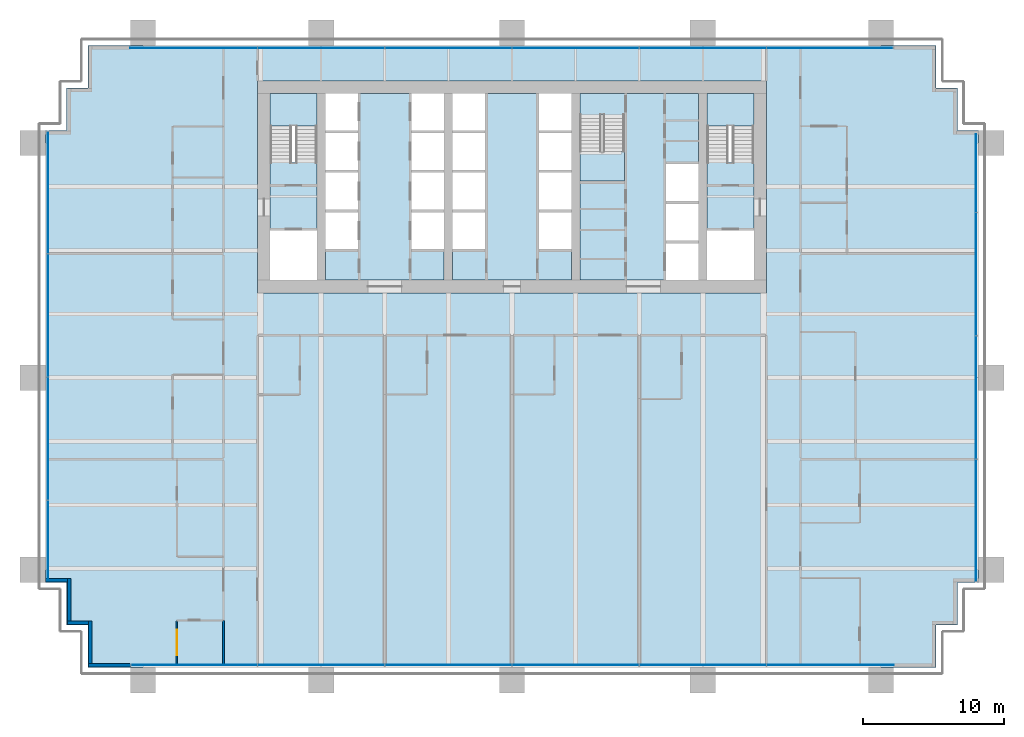
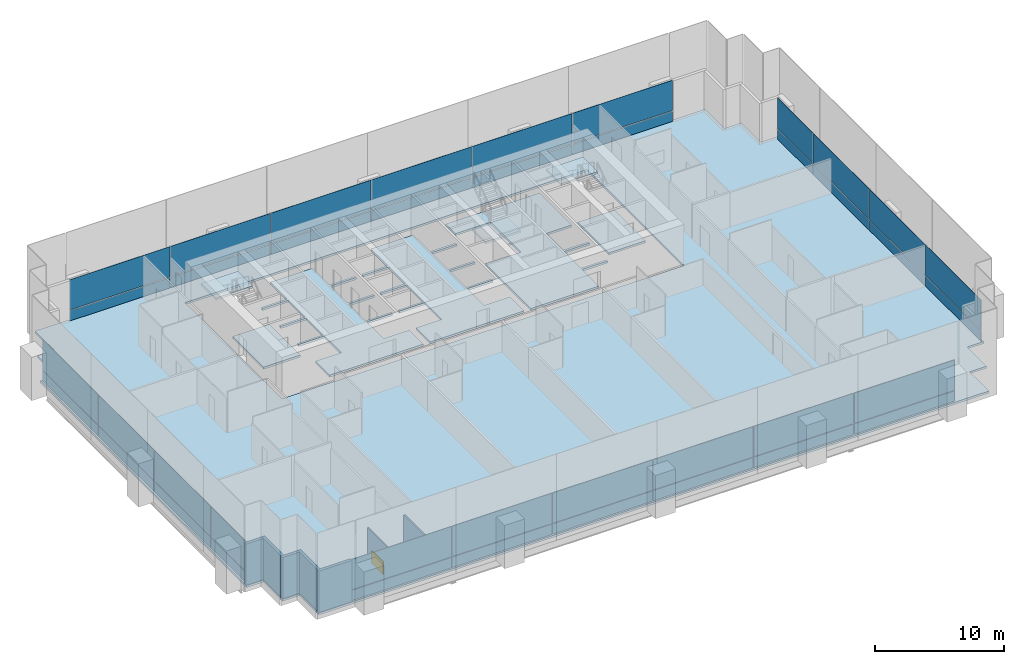
# One storey, part 10 of 18: 40 plates, 9 slabs, 7 walls, 1 window, 1 opening, 7 elements without a shape of their own.
"""IFC4 building model written with IfcOpenShell, lengths in metres."""

from ifc_helpers import new_model, si_unit, direction, frame, frame_2d, origin, origin_2d, place, context, subcontext, project, spatial, polyline, rectangle, outline, extrude, material, layer, layer_set, type_object, element, fill, aggregate, save


model = new_model("IFC4")

# Units and contexts
model_context = context("Model", 3, precision=1e-05, world=origin(), true_north=direction((0.0, 1.0)))
body_context = subcontext(model_context, "Body", "Model", "MODEL_VIEW")
ifc_project = project(units=[si_unit("LENGTHUNIT", "METRE"), si_unit("AREAUNIT", "SQUARE_METRE"), si_unit("VOLUMEUNIT", "CUBIC_METRE"), si_unit("PLANEANGLEUNIT", "RADIAN"), si_unit("MASSUNIT", "GRAM", prefix="KILO")], contexts=[model_context])

# Site, building, storey
site_placement = place(None, origin())
site = spatial("IfcSite", under=ifc_project, at=site_placement, CompositionType="ELEMENT")
building_placement = place(site_placement, origin())
building = spatial("IfcBuilding", under=site, at=building_placement, Name="Rattan Terrace Tower", CompositionType="ELEMENT")
storey_placement = place(building_placement, frame((0.0, 0.0, 57.0)))
storey = spatial("IfcBuildingStorey", under=building, at=storey_placement, Name="L12", CompositionType="ELEMENT", Elevation=57.0)

# Stair, slab
ifc_material_1 = material(Name="Concrete C40/50", Category="concrete")
stair_type = type_object("IfcStairType", Name="Core exit stair 1500", PredefinedType="HALF_TURN_STAIR", material=ifc_material_1)
stair_1_placement = place(storey_placement, origin())
stair_1 = element("IfcStair", 1, at=stair_1_placement, inside=storey, type_object=stair_type, Name="L12 exit stair 1", PredefinedType="HALF_TURN_STAIR")
ifc_material_2 = material(Name="Concrete C40/50", Category="concrete")
ifc_layer_1 = layer(ifc_material_2, 0.199951171875)
ifc_layer_set_1 = layer_set([ifc_layer_1], Name="Core exit stair landing")
slab_type_1 = type_object("IfcSlabType", Name="Core exit stair landing", PredefinedType="LANDING", material=ifc_layer_set_1)
slab_1_placement = place(storey_placement, frame((0.0, 0.0, 1.85009765625)))
slab_1 = element("IfcSlab", 2, at=slab_1_placement, type_object=slab_type_1, Name="S1 landing 1", PredefinedType="LANDING", context=body_context, shape_type="SweptSolid", body=[
    extrude(outline(polyline([(-13.800048828125, 4.300048828125), (-13.800048828125, 6.60009765625), (-17.10009765625, 6.60009765625), (-17.10009765625, 4.300048828125), (-13.800048828125, 4.300048828125)])), origin(), (0.0, 0.0, 1.0), 0.199951171875),
])
aggregate(stair_1, [slab_1])

stair_2_placement = place(storey_placement, origin())
stair_2 = element("IfcStair", 3, at=stair_2_placement, inside=storey, type_object=stair_type, Name="L12 exit stair 2", PredefinedType="HALF_TURN_STAIR")
slab_2_placement = place(storey_placement, frame((0.0, 0.0, 1.85009765625)))
slab_2 = element("IfcSlab", 4, at=slab_2_placement, type_object=slab_type_1, Name="S2 landing 1", PredefinedType="LANDING", context=body_context, shape_type="SweptSolid", body=[
    extrude(outline(polyline([(17.10009765625, 4.300048828125), (17.10009765625, 6.60009765625), (13.800048828125, 6.60009765625), (13.800048828125, 4.300048828125), (17.10009765625, 4.300048828125)])), origin(), (0.0, 0.0, 1.0), 0.199951171875),
])
aggregate(stair_2, [slab_2])

stair_3_placement = place(storey_placement, origin())
stair_3 = element("IfcStair", 5, at=stair_3_placement, inside=storey, type_object=stair_type, Name="L12 exit stair 3", PredefinedType="HALF_TURN_STAIR")
slab_3_placement = place(storey_placement, frame((0.0, 0.0, 1.85009765625)))
slab_3 = element("IfcSlab", 6, at=slab_3_placement, type_object=slab_type_1, Name="S3 landing 1", PredefinedType="LANDING", context=body_context, shape_type="SweptSolid", body=[
    extrude(outline(polyline([(4.800048828125, 2.5), (4.800048828125, 0.39990234375), (7.949951171875, 0.39990234375), (7.949951171875, 2.5), (4.800048828125, 2.5)])), origin(), (0.0, 0.0, 1.0), 0.199951171875),
])
aggregate(stair_3, [slab_3])

# Curtain wall, plates
ifc_material_3 = material(Name="Aluminium and glass", Category="aluminium")
curtain_wall_type = type_object("IfcCurtainWallType", Name="Facade Unitised Curtain Wall", PredefinedType="NOTDEFINED", material=ifc_material_3)
curtain_wall_1_placement = place(storey_placement, origin())
curtain_wall_1 = element("IfcCurtainWall", 7, at=curtain_wall_1_placement, inside=storey, type_object=curtain_wall_type, Name="Curtain wall L12-1", PredefinedType="NOTDEFINED")
ifc_material_4 = material(Name="Aluminium insulated spandrel panel", Category="aluminium")
ifc_layer_2 = layer(ifc_material_4, 0.028076171875)
ifc_layer_set_2 = layer_set([ifc_layer_2], Name="Facade CW Spandrel Panel")
plate_type_1 = type_object("IfcPlateType", Name="Facade CW Spandrel Panel", PredefinedType="CURTAIN_PANEL", material=ifc_layer_set_2)
plate_1_placement = place(storey_placement, frame((32.830078125, -23.59912109375, 0.0), z_axis=(0.0, 0.0, 1.0), x_axis=(0.0, 1.0, 0.0)))
plate_1 = element("IfcPlate", 8, at=plate_1_placement, type_object=plate_type_1, Name="Panel cwl-L12-001.1.1", PredefinedType="CURTAIN_PANEL", context=body_context, shape_type="SweptSolid", body=[
    extrude(rectangle(XDim=8.592041015625, YDim=0.028076171875, at=origin_2d()), origin(), (0.0, 0.0, 1.0), 0.969970703125),
])
plate_2_placement = place(storey_placement, frame((32.830078125, -14.909423828125, 0.0), z_axis=(0.0, 0.0, 1.0), x_axis=(0.0, 1.0, 0.0)))
plate_2 = element("IfcPlate", 9, at=plate_2_placement, type_object=plate_type_1, Name="Panel cwl-L12-001.2.1", PredefinedType="CURTAIN_PANEL", context=body_context, shape_type="SweptSolid", body=[
    extrude(rectangle(XDim=8.6669921875, YDim=0.028076171875, at=origin_2d()), origin(), (0.0, 0.0, 1.0), 0.969970703125),
])
plate_3_placement = place(storey_placement, frame((32.830078125, -6.1826171875, 0.0), z_axis=(0.0, 0.0, 1.0), x_axis=(0.0, 1.0, 0.0)))
plate_3 = element("IfcPlate", 10, at=plate_3_placement, type_object=plate_type_1, Name="Panel cwl-L12-001.3.1", PredefinedType="CURTAIN_PANEL", context=body_context, shape_type="SweptSolid", body=[
    extrude(rectangle(XDim=8.6669921875, YDim=0.028076171875, at=origin_2d()), origin(), (0.0, 0.0, 1.0), 0.969970703125),
])
plate_4_placement = place(storey_placement, frame((32.830078125, 0.9580078125, 0.0), z_axis=(0.0, 0.0, 1.0), x_axis=(0.0, 1.0, 0.0)))
plate_4 = element("IfcPlate", 11, at=plate_4_placement, type_object=plate_type_1, Name="Panel cwl-L12-001.4.1", PredefinedType="CURTAIN_PANEL", context=body_context, shape_type="SweptSolid", body=[
    extrude(rectangle(XDim=5.493896484375, YDim=0.028076171875, at=origin_2d()), origin(), (0.0, 0.0, 1.0), 0.969970703125),
])

curtain_wall_2_placement = place(storey_placement, origin())
curtain_wall_2 = element("IfcCurtainWall", 12, at=curtain_wall_2_placement, inside=storey, type_object=curtain_wall_type, Name="Curtain wall L12-2", PredefinedType="NOTDEFINED")
plate_5_placement = place(storey_placement, frame((22.485107421875, 9.830078125, 0.0), z_axis=(0.0, 0.0, 1.0), x_axis=(-1.0, 0.0, 0.0)))
plate_5 = element("IfcPlate", 13, at=plate_5_placement, type_object=plate_type_1, Name="Panel cwl-L12-002.1.1", PredefinedType="CURTAIN_PANEL", context=body_context, shape_type="SweptSolid", body=[
    extrude(rectangle(XDim=8.909912109375, YDim=0.028076171875, at=origin_2d()), origin(), (0.0, 0.0, 1.0), 0.969970703125),
])
plate_6_placement = place(storey_placement, frame((13.5, 9.830078125, 0.0), z_axis=(0.0, 0.0, 1.0), x_axis=(-1.0, 0.0, 0.0)))
plate_6 = element("IfcPlate", 14, at=plate_6_placement, type_object=plate_type_1, Name="Panel cwl-L12-002.2.1", PredefinedType="CURTAIN_PANEL", context=body_context, shape_type="SweptSolid", body=[
    extrude(rectangle(XDim=8.93994140625, YDim=0.028076171875, at=origin_2d()), origin(), (0.0, 0.0, 1.0), 0.969970703125),
])
plate_7_placement = place(storey_placement, frame((4.5, 9.830078125, 0.0), z_axis=(0.0, 0.0, 1.0), x_axis=(-1.0, 0.0, 0.0)))
plate_7 = element("IfcPlate", 15, at=plate_7_placement, type_object=plate_type_1, Name="Panel cwl-L12-002.3.1", PredefinedType="CURTAIN_PANEL", context=body_context, shape_type="SweptSolid", body=[
    extrude(rectangle(XDim=8.93994140625, YDim=0.028076171875, at=origin_2d()), origin(), (0.0, 0.0, 1.0), 0.969970703125),
])
plate_8_placement = place(storey_placement, frame((-4.5, 9.830078125, 0.0), z_axis=(0.0, 0.0, 1.0), x_axis=(-1.0, 0.0, 0.0)))
plate_8 = element("IfcPlate", 16, at=plate_8_placement, type_object=plate_type_1, Name="Panel cwl-L12-002.4.1", PredefinedType="CURTAIN_PANEL", context=body_context, shape_type="SweptSolid", body=[
    extrude(rectangle(XDim=8.93994140625, YDim=0.028076171875, at=origin_2d()), origin(), (0.0, 0.0, 1.0), 0.969970703125),
])
plate_9_placement = place(storey_placement, frame((-13.5, 9.830078125, 0.0), z_axis=(0.0, 0.0, 1.0), x_axis=(-1.0, 0.0, 0.0)))
plate_9 = element("IfcPlate", 17, at=plate_9_placement, type_object=plate_type_1, Name="Panel cwl-L12-002.5.1", PredefinedType="CURTAIN_PANEL", context=body_context, shape_type="SweptSolid", body=[
    extrude(rectangle(XDim=8.93994140625, YDim=0.028076171875, at=origin_2d()), origin(), (0.0, 0.0, 1.0), 0.969970703125),
])
plate_10_placement = place(storey_placement, frame((-22.514892578125, 9.830078125, 0.0), z_axis=(0.0, 0.0, 1.0), x_axis=(-1.0, 0.0, 0.0)))
plate_10 = element("IfcPlate", 18, at=plate_10_placement, type_object=plate_type_1, Name="Panel cwl-L12-002.6.1", PredefinedType="CURTAIN_PANEL", context=body_context, shape_type="SweptSolid", body=[
    extrude(rectangle(XDim=8.969970703125, YDim=0.028076171875, at=origin_2d()), origin(), (0.0, 0.0, 1.0), 0.969970703125),
])

curtain_wall_3_placement = place(storey_placement, origin())
curtain_wall_3 = element("IfcCurtainWall", 19, at=curtain_wall_3_placement, inside=storey, type_object=curtain_wall_type, Name="Curtain wall L12-3", PredefinedType="NOTDEFINED")
plate_11_placement = place(storey_placement, frame((-32.830078125, -0.40087890625, 0.0), z_axis=(0.0, 0.0, 1.0), x_axis=(0.0, -1.0, 0.0)))
plate_11 = element("IfcPlate", 20, at=plate_11_placement, type_object=plate_type_1, Name="Panel cwl-L12-003.1.1", PredefinedType="CURTAIN_PANEL", context=body_context, shape_type="SweptSolid", body=[
    extrude(rectangle(XDim=8.592041015625, YDim=0.028076171875, at=origin_2d()), origin(), (0.0, 0.0, 1.0), 0.969970703125),
])
plate_12_placement = place(storey_placement, frame((-32.830078125, -9.090576171875, 0.0), z_axis=(0.0, 0.0, 1.0), x_axis=(0.0, -1.0, 0.0)))
plate_12 = element("IfcPlate", 21, at=plate_12_placement, type_object=plate_type_1, Name="Panel cwl-L12-003.2.1", PredefinedType="CURTAIN_PANEL", context=body_context, shape_type="SweptSolid", body=[
    extrude(rectangle(XDim=8.6669921875, YDim=0.028076171875, at=origin_2d()), origin(), (0.0, 0.0, 1.0), 0.969970703125),
])
plate_13_placement = place(storey_placement, frame((-32.830078125, -17.8173828125, 0.0), z_axis=(0.0, 0.0, 1.0), x_axis=(0.0, -1.0, 0.0)))
plate_13 = element("IfcPlate", 22, at=plate_13_placement, type_object=plate_type_1, Name="Panel cwl-L12-003.3.1", PredefinedType="CURTAIN_PANEL", context=body_context, shape_type="SweptSolid", body=[
    extrude(rectangle(XDim=8.6669921875, YDim=0.028076171875, at=origin_2d()), origin(), (0.0, 0.0, 1.0), 0.969970703125),
])
plate_14_placement = place(storey_placement, frame((-32.830078125, -24.9580078125, 0.0), z_axis=(0.0, 0.0, 1.0), x_axis=(0.0, -1.0, 0.0)))
plate_14 = element("IfcPlate", 23, at=plate_14_placement, type_object=plate_type_1, Name="Panel cwl-L12-003.4.1", PredefinedType="CURTAIN_PANEL", context=body_context, shape_type="SweptSolid", body=[
    extrude(rectangle(XDim=5.493896484375, YDim=0.028076171875, at=origin_2d()), origin(), (0.0, 0.0, 1.0), 0.969970703125),
])

curtain_wall_4_placement = place(storey_placement, origin())
curtain_wall_4 = element("IfcCurtainWall", 24, at=curtain_wall_4_placement, inside=storey, type_object=curtain_wall_type, Name="Curtain wall L12-4", PredefinedType="NOTDEFINED")
plate_15_placement = place(storey_placement, frame((-22.485107421875, -33.830078125, 0.0), z_axis=(0.0, 0.0, 1.0), x_axis=(1.0, 0.0, 0.0)))
plate_15 = element("IfcPlate", 25, at=plate_15_placement, type_object=plate_type_1, Name="Panel cwl-L12-004.1.1", PredefinedType="CURTAIN_PANEL", context=body_context, shape_type="SweptSolid", body=[
    extrude(rectangle(XDim=8.909912109375, YDim=0.028076171875, at=origin_2d()), origin(), (0.0, 0.0, 1.0), 0.969970703125),
])
plate_16_placement = place(storey_placement, frame((-13.5, -33.830078125, 0.0), z_axis=(0.0, 0.0, 1.0), x_axis=(1.0, 0.0, 0.0)))
plate_16 = element("IfcPlate", 26, at=plate_16_placement, type_object=plate_type_1, Name="Panel cwl-L12-004.2.1", PredefinedType="CURTAIN_PANEL", context=body_context, shape_type="SweptSolid", body=[
    extrude(rectangle(XDim=8.93994140625, YDim=0.028076171875, at=origin_2d()), origin(), (0.0, 0.0, 1.0), 0.969970703125),
])
plate_17_placement = place(storey_placement, frame((-4.5, -33.830078125, 0.0), z_axis=(0.0, 0.0, 1.0), x_axis=(1.0, 0.0, 0.0)))
plate_17 = element("IfcPlate", 27, at=plate_17_placement, type_object=plate_type_1, Name="Panel cwl-L12-004.3.1", PredefinedType="CURTAIN_PANEL", context=body_context, shape_type="SweptSolid", body=[
    extrude(rectangle(XDim=8.93994140625, YDim=0.028076171875, at=origin_2d()), origin(), (0.0, 0.0, 1.0), 0.969970703125),
])
plate_18_placement = place(storey_placement, frame((4.5, -33.830078125, 0.0), z_axis=(0.0, 0.0, 1.0), x_axis=(1.0, 0.0, 0.0)))
plate_18 = element("IfcPlate", 28, at=plate_18_placement, type_object=plate_type_1, Name="Panel cwl-L12-004.4.1", PredefinedType="CURTAIN_PANEL", context=body_context, shape_type="SweptSolid", body=[
    extrude(rectangle(XDim=8.93994140625, YDim=0.028076171875, at=origin_2d()), origin(), (0.0, 0.0, 1.0), 0.969970703125),
])
plate_19_placement = place(storey_placement, frame((13.5, -33.830078125, 0.0), z_axis=(0.0, 0.0, 1.0), x_axis=(1.0, 0.0, 0.0)))
plate_19 = element("IfcPlate", 29, at=plate_19_placement, type_object=plate_type_1, Name="Panel cwl-L12-004.5.1", PredefinedType="CURTAIN_PANEL", context=body_context, shape_type="SweptSolid", body=[
    extrude(rectangle(XDim=8.93994140625, YDim=0.028076171875, at=origin_2d()), origin(), (0.0, 0.0, 1.0), 0.969970703125),
])
plate_20_placement = place(storey_placement, frame((22.514892578125, -33.830078125, 0.0), z_axis=(0.0, 0.0, 1.0), x_axis=(1.0, 0.0, 0.0)))
plate_20 = element("IfcPlate", 30, at=plate_20_placement, type_object=plate_type_1, Name="Panel cwl-L12-004.6.1", PredefinedType="CURTAIN_PANEL", context=body_context, shape_type="SweptSolid", body=[
    extrude(rectangle(XDim=8.969970703125, YDim=0.028076171875, at=origin_2d()), origin(), (0.0, 0.0, 1.0), 0.969970703125),
])

# Plate
ifc_material_5 = material(Name="Clear low-iron glass", Category="glass")
ifc_layer_3 = layer(ifc_material_5, 0.028076171875)
ifc_layer_set_3 = layer_set([ifc_layer_3], Name="Facade CW Vision Panel")
plate_type_2 = type_object("IfcPlateType", Name="Facade CW Vision Panel", PredefinedType="CURTAIN_PANEL", material=ifc_layer_set_3)
plate_21_placement = place(storey_placement, frame((32.830078125, -23.59912109375, 1.030029296875), z_axis=(0.0, 0.0, 1.0), x_axis=(0.0, 1.0, 0.0)))
plate_21 = element("IfcPlate", 31, at=plate_21_placement, type_object=plate_type_2, Name="Panel cwl-L12-001.1.2", PredefinedType="CURTAIN_PANEL", context=body_context, shape_type="SweptSolid", body=[
    extrude(rectangle(XDim=8.592041015625, YDim=0.028076171875, at=origin_2d()), origin(), (0.0, 0.0, 1.0), 2.8701171875),
])

plate_22_placement = place(storey_placement, frame((32.830078125, -14.909423828125, 1.030029296875), z_axis=(0.0, 0.0, 1.0), x_axis=(0.0, 1.0, 0.0)))
plate_22 = element("IfcPlate", 32, at=plate_22_placement, type_object=plate_type_2, Name="Panel cwl-L12-001.2.2", PredefinedType="CURTAIN_PANEL", context=body_context, shape_type="SweptSolid", body=[
    extrude(rectangle(XDim=8.6669921875, YDim=0.028076171875, at=origin_2d()), origin(), (0.0, 0.0, 1.0), 2.8701171875),
])

plate_23_placement = place(storey_placement, frame((32.830078125, -6.1826171875, 1.030029296875), z_axis=(0.0, 0.0, 1.0), x_axis=(0.0, 1.0, 0.0)))
plate_23 = element("IfcPlate", 33, at=plate_23_placement, type_object=plate_type_2, Name="Panel cwl-L12-001.3.2", PredefinedType="CURTAIN_PANEL", context=body_context, shape_type="SweptSolid", body=[
    extrude(rectangle(XDim=8.6669921875, YDim=0.028076171875, at=origin_2d()), origin(), (0.0, 0.0, 1.0), 2.8701171875),
])

plate_24_placement = place(storey_placement, frame((32.830078125, 0.9580078125, 1.030029296875), z_axis=(0.0, 0.0, 1.0), x_axis=(0.0, 1.0, 0.0)))
plate_24 = element("IfcPlate", 34, at=plate_24_placement, type_object=plate_type_2, Name="Panel cwl-L12-001.4.2", PredefinedType="CURTAIN_PANEL", context=body_context, shape_type="SweptSolid", body=[
    extrude(rectangle(XDim=5.493896484375, YDim=0.028076171875, at=origin_2d()), origin(), (0.0, 0.0, 1.0), 2.8701171875),
])

aggregate(curtain_wall_1, [plate_1, plate_21, plate_2, plate_22, plate_3, plate_23, plate_4, plate_24])

plate_25_placement = place(storey_placement, frame((22.485107421875, 9.830078125, 1.030029296875), z_axis=(0.0, 0.0, 1.0), x_axis=(-1.0, 0.0, 0.0)))
plate_25 = element("IfcPlate", 35, at=plate_25_placement, type_object=plate_type_2, Name="Panel cwl-L12-002.1.2", PredefinedType="CURTAIN_PANEL", context=body_context, shape_type="SweptSolid", body=[
    extrude(rectangle(XDim=8.909912109375, YDim=0.028076171875, at=origin_2d()), origin(), (0.0, 0.0, 1.0), 2.8701171875),
])

plate_26_placement = place(storey_placement, frame((13.5, 9.830078125, 1.030029296875), z_axis=(0.0, 0.0, 1.0), x_axis=(-1.0, 0.0, 0.0)))
plate_26 = element("IfcPlate", 36, at=plate_26_placement, type_object=plate_type_2, Name="Panel cwl-L12-002.2.2", PredefinedType="CURTAIN_PANEL", context=body_context, shape_type="SweptSolid", body=[
    extrude(rectangle(XDim=8.93994140625, YDim=0.028076171875, at=origin_2d()), origin(), (0.0, 0.0, 1.0), 2.8701171875),
])

plate_27_placement = place(storey_placement, frame((4.5, 9.830078125, 1.030029296875), z_axis=(0.0, 0.0, 1.0), x_axis=(-1.0, 0.0, 0.0)))
plate_27 = element("IfcPlate", 37, at=plate_27_placement, type_object=plate_type_2, Name="Panel cwl-L12-002.3.2", PredefinedType="CURTAIN_PANEL", context=body_context, shape_type="SweptSolid", body=[
    extrude(rectangle(XDim=8.93994140625, YDim=0.028076171875, at=origin_2d()), origin(), (0.0, 0.0, 1.0), 2.8701171875),
])

plate_28_placement = place(storey_placement, frame((-4.5, 9.830078125, 1.030029296875), z_axis=(0.0, 0.0, 1.0), x_axis=(-1.0, 0.0, 0.0)))
plate_28 = element("IfcPlate", 38, at=plate_28_placement, type_object=plate_type_2, Name="Panel cwl-L12-002.4.2", PredefinedType="CURTAIN_PANEL", context=body_context, shape_type="SweptSolid", body=[
    extrude(rectangle(XDim=8.93994140625, YDim=0.028076171875, at=origin_2d()), origin(), (0.0, 0.0, 1.0), 2.8701171875),
])

plate_29_placement = place(storey_placement, frame((-13.5, 9.830078125, 1.030029296875), z_axis=(0.0, 0.0, 1.0), x_axis=(-1.0, 0.0, 0.0)))
plate_29 = element("IfcPlate", 39, at=plate_29_placement, type_object=plate_type_2, Name="Panel cwl-L12-002.5.2", PredefinedType="CURTAIN_PANEL", context=body_context, shape_type="SweptSolid", body=[
    extrude(rectangle(XDim=8.93994140625, YDim=0.028076171875, at=origin_2d()), origin(), (0.0, 0.0, 1.0), 2.8701171875),
])

plate_30_placement = place(storey_placement, frame((-22.514892578125, 9.830078125, 1.030029296875), z_axis=(0.0, 0.0, 1.0), x_axis=(-1.0, 0.0, 0.0)))
plate_30 = element("IfcPlate", 40, at=plate_30_placement, type_object=plate_type_2, Name="Panel cwl-L12-002.6.2", PredefinedType="CURTAIN_PANEL", context=body_context, shape_type="SweptSolid", body=[
    extrude(rectangle(XDim=8.969970703125, YDim=0.028076171875, at=origin_2d()), origin(), (0.0, 0.0, 1.0), 2.8701171875),
])

aggregate(curtain_wall_2, [plate_5, plate_25, plate_6, plate_26, plate_7, plate_27, plate_8, plate_28, plate_9, plate_29, plate_10, plate_30])

plate_31_placement = place(storey_placement, frame((-32.830078125, -0.40087890625, 1.030029296875), z_axis=(0.0, 0.0, 1.0), x_axis=(0.0, -1.0, 0.0)))
plate_31 = element("IfcPlate", 41, at=plate_31_placement, type_object=plate_type_2, Name="Panel cwl-L12-003.1.2", PredefinedType="CURTAIN_PANEL", context=body_context, shape_type="SweptSolid", body=[
    extrude(rectangle(XDim=8.592041015625, YDim=0.028076171875, at=origin_2d()), origin(), (0.0, 0.0, 1.0), 2.8701171875),
])

plate_32_placement = place(storey_placement, frame((-32.830078125, -9.090576171875, 1.030029296875), z_axis=(0.0, 0.0, 1.0), x_axis=(0.0, -1.0, 0.0)))
plate_32 = element("IfcPlate", 42, at=plate_32_placement, type_object=plate_type_2, Name="Panel cwl-L12-003.2.2", PredefinedType="CURTAIN_PANEL", context=body_context, shape_type="SweptSolid", body=[
    extrude(rectangle(XDim=8.6669921875, YDim=0.028076171875, at=origin_2d()), origin(), (0.0, 0.0, 1.0), 2.8701171875),
])

plate_33_placement = place(storey_placement, frame((-32.830078125, -17.8173828125, 1.030029296875), z_axis=(0.0, 0.0, 1.0), x_axis=(0.0, -1.0, 0.0)))
plate_33 = element("IfcPlate", 43, at=plate_33_placement, type_object=plate_type_2, Name="Panel cwl-L12-003.3.2", PredefinedType="CURTAIN_PANEL", context=body_context, shape_type="SweptSolid", body=[
    extrude(rectangle(XDim=8.6669921875, YDim=0.028076171875, at=origin_2d()), origin(), (0.0, 0.0, 1.0), 2.8701171875),
])

plate_34_placement = place(storey_placement, frame((-32.830078125, -24.9580078125, 1.030029296875), z_axis=(0.0, 0.0, 1.0), x_axis=(0.0, -1.0, 0.0)))
plate_34 = element("IfcPlate", 44, at=plate_34_placement, type_object=plate_type_2, Name="Panel cwl-L12-003.4.2", PredefinedType="CURTAIN_PANEL", context=body_context, shape_type="SweptSolid", body=[
    extrude(rectangle(XDim=5.493896484375, YDim=0.028076171875, at=origin_2d()), origin(), (0.0, 0.0, 1.0), 2.8701171875),
])

aggregate(curtain_wall_3, [plate_11, plate_31, plate_12, plate_32, plate_13, plate_33, plate_14, plate_34])

plate_35_placement = place(storey_placement, frame((-22.485107421875, -33.830078125, 1.030029296875), z_axis=(0.0, 0.0, 1.0), x_axis=(1.0, 0.0, 0.0)))
plate_35 = element("IfcPlate", 45, at=plate_35_placement, type_object=plate_type_2, Name="Panel cwl-L12-004.1.2", PredefinedType="CURTAIN_PANEL", context=body_context, shape_type="SweptSolid", body=[
    extrude(rectangle(XDim=8.909912109375, YDim=0.028076171875, at=origin_2d()), origin(), (0.0, 0.0, 1.0), 2.8701171875),
])

plate_36_placement = place(storey_placement, frame((-13.5, -33.830078125, 1.030029296875), z_axis=(0.0, 0.0, 1.0), x_axis=(1.0, 0.0, 0.0)))
plate_36 = element("IfcPlate", 46, at=plate_36_placement, type_object=plate_type_2, Name="Panel cwl-L12-004.2.2", PredefinedType="CURTAIN_PANEL", context=body_context, shape_type="SweptSolid", body=[
    extrude(rectangle(XDim=8.93994140625, YDim=0.028076171875, at=origin_2d()), origin(), (0.0, 0.0, 1.0), 2.8701171875),
])

plate_37_placement = place(storey_placement, frame((-4.5, -33.830078125, 1.030029296875), z_axis=(0.0, 0.0, 1.0), x_axis=(1.0, 0.0, 0.0)))
plate_37 = element("IfcPlate", 47, at=plate_37_placement, type_object=plate_type_2, Name="Panel cwl-L12-004.3.2", PredefinedType="CURTAIN_PANEL", context=body_context, shape_type="SweptSolid", body=[
    extrude(rectangle(XDim=8.93994140625, YDim=0.028076171875, at=origin_2d()), origin(), (0.0, 0.0, 1.0), 2.8701171875),
])

plate_38_placement = place(storey_placement, frame((4.5, -33.830078125, 1.030029296875), z_axis=(0.0, 0.0, 1.0), x_axis=(1.0, 0.0, 0.0)))
plate_38 = element("IfcPlate", 48, at=plate_38_placement, type_object=plate_type_2, Name="Panel cwl-L12-004.4.2", PredefinedType="CURTAIN_PANEL", context=body_context, shape_type="SweptSolid", body=[
    extrude(rectangle(XDim=8.93994140625, YDim=0.028076171875, at=origin_2d()), origin(), (0.0, 0.0, 1.0), 2.8701171875),
])

plate_39_placement = place(storey_placement, frame((13.5, -33.830078125, 1.030029296875), z_axis=(0.0, 0.0, 1.0), x_axis=(1.0, 0.0, 0.0)))
plate_39 = element("IfcPlate", 49, at=plate_39_placement, type_object=plate_type_2, Name="Panel cwl-L12-004.5.2", PredefinedType="CURTAIN_PANEL", context=body_context, shape_type="SweptSolid", body=[
    extrude(rectangle(XDim=8.93994140625, YDim=0.028076171875, at=origin_2d()), origin(), (0.0, 0.0, 1.0), 2.8701171875),
])

plate_40_placement = place(storey_placement, frame((22.514892578125, -33.830078125, 1.030029296875), z_axis=(0.0, 0.0, 1.0), x_axis=(1.0, 0.0, 0.0)))
plate_40 = element("IfcPlate", 50, at=plate_40_placement, type_object=plate_type_2, Name="Panel cwl-L12-004.6.2", PredefinedType="CURTAIN_PANEL", context=body_context, shape_type="SweptSolid", body=[
    extrude(rectangle(XDim=8.969970703125, YDim=0.028076171875, at=origin_2d()), origin(), (0.0, 0.0, 1.0), 2.8701171875),
])

aggregate(curtain_wall_4, [plate_15, plate_35, plate_16, plate_36, plate_17, plate_37, plate_18, plate_38, plate_19, plate_39, plate_20, plate_40])

# Slabs
ifc_material_6 = material(Name="Concrete C35/45", Category="concrete")
ifc_layer_4 = layer(ifc_material_6, 0.199951171875)
ifc_layer_set_4 = layer_set([ifc_layer_4], Name="Frame composite floor slab 200")
slab_type_2 = type_object("IfcSlabType", Name="Frame composite floor slab 200", PredefinedType="FLOOR", material=ifc_layer_set_4)
slab_4_placement = place(storey_placement, frame((0.0, 0.0, -0.199951171875)))
element("IfcSlab", 51, at=slab_4_placement, inside=storey, type_object=slab_type_2, Name="Floor slab", PredefinedType="FLOOR", context=body_context, shape_type="SweptSolid", body=[
    extrude(outline(polyline([(-27.0, -34.0), (27.0, -34.0), (30.0, -34.0), (30.0, -31.0), (31.5, -31.0), (31.5, -28.0), (33.0, -28.0), (33.0, 4.0), (31.5, 4.0), (31.5, 7.0), (30.0, 7.0), (30.0, 10.0), (27.0, 10.0), (-27.0, 10.0), (-30.0, 10.0), (-30.0, 7.0), (-31.5, 7.0), (-31.5, 4.0), (-33.0, 4.0), (-33.0, -28.0), (-31.5, -28.0), (-31.5, -31.0), (-30.0, -31.0), (-30.0, -34.0), (-27.0, -34.0)]), holes=[polyline([(-18.0, -6.60009765625), (-18.0, -7.5), (18.0, -7.5), (18.0, -6.60009765625), (18.0, 6.60009765625), (18.0, 7.5), (-18.0, 7.5), (-18.0, 6.60009765625), (-18.0, -6.60009765625)])]), origin(), (0.0, 0.0, 1.0), 0.199951171875),
])
slab_5_placement = place(storey_placement, frame((0.0, 0.0, -0.199951171875)))
element("IfcSlab", 52, at=slab_5_placement, inside=storey, type_object=slab_type_2, Name="Floor slab", PredefinedType="FLOOR", context=body_context, shape_type="SweptSolid", body=[
    extrude(outline(polyline([(-10.89990234375, 6.60009765625), (-10.89990234375, 4.0), (-13.199951171875, 4.0), (-13.199951171875, 3.800048828125), (-10.89990234375, 3.800048828125), (-10.89990234375, 1.199951171875), (-13.199951171875, 1.199951171875), (-13.199951171875, 1.0), (-10.89990234375, 1.0), (-10.89990234375, -1.60009765625), (-13.199951171875, -1.60009765625), (-13.199951171875, -1.800048828125), (-10.89990234375, -1.800048828125), (-10.89990234375, -4.39990234375), (-13.199951171875, -4.39990234375), (-13.199951171875, -6.60009765625), (-4.800048828125, -6.60009765625), (-4.800048828125, -4.39990234375), (-7.10009765625, -4.39990234375), (-7.10009765625, -1.800048828125), (-4.800048828125, -1.800048828125), (-4.800048828125, -1.60009765625), (-7.10009765625, -1.60009765625), (-7.10009765625, 1.0), (-4.800048828125, 1.0), (-4.800048828125, 1.199951171875), (-7.10009765625, 1.199951171875), (-7.10009765625, 3.800048828125), (-4.800048828125, 3.800048828125), (-4.800048828125, 4.0), (-7.10009765625, 4.0), (-7.10009765625, 6.60009765625), (-10.89990234375, 6.60009765625)])), origin(), (0.0, 0.0, 1.0), 0.199951171875),
])
slab_6_placement = place(storey_placement, frame((0.0, 0.0, -0.199951171875)))
element("IfcSlab", 53, at=slab_6_placement, inside=storey, type_object=slab_type_2, Name="Floor slab", PredefinedType="FLOOR", context=body_context, shape_type="SweptSolid", body=[
    extrude(outline(polyline([(-17.10009765625, -3.10009765625), (-13.800048828125, -3.10009765625), (-13.800048828125, 1.7099609375), (-17.10009765625, 1.7099609375), (-17.10009765625, -3.10009765625)])), origin(), (0.0, 0.0, 1.0), 0.199951171875),
])
slab_7_placement = place(storey_placement, frame((0.0, 0.0, -0.199951171875)))
element("IfcSlab", 54, at=slab_7_placement, inside=storey, type_object=slab_type_2, Name="Floor slab", PredefinedType="FLOOR", context=body_context, shape_type="SweptSolid", body=[
    extrude(outline(polyline([(-4.199951171875, 4.0), (-4.199951171875, 3.800048828125), (-1.89990234375, 3.800048828125), (-1.89990234375, 1.199951171875), (-4.199951171875, 1.199951171875), (-4.199951171875, 1.0), (-1.89990234375, 1.0), (-1.89990234375, -1.60009765625), (-4.199951171875, -1.60009765625), (-4.199951171875, -1.800048828125), (-1.89990234375, -1.800048828125), (-1.89990234375, -4.39990234375), (-4.199951171875, -4.39990234375), (-4.199951171875, -6.60009765625), (4.199951171875, -6.60009765625), (4.199951171875, -4.39990234375), (1.89990234375, -4.39990234375), (1.89990234375, -1.800048828125), (4.199951171875, -1.800048828125), (4.199951171875, -1.60009765625), (1.89990234375, -1.60009765625), (1.89990234375, 1.0), (4.199951171875, 1.0), (4.199951171875, 1.199951171875), (1.89990234375, 1.199951171875), (1.89990234375, 3.800048828125), (4.199951171875, 3.800048828125), (4.199951171875, 4.0), (1.89990234375, 4.0), (1.89990234375, 6.60009765625), (-1.89990234375, 6.60009765625), (-1.89990234375, 4.0), (-4.199951171875, 4.0)])), origin(), (0.0, 0.0, 1.0), 0.199951171875),
])
slab_8_placement = place(storey_placement, frame((0.0, 0.0, -0.199951171875)))
element("IfcSlab", 55, at=slab_8_placement, inside=storey, type_object=slab_type_2, Name="Floor slab", PredefinedType="FLOOR", context=body_context, shape_type="SweptSolid", body=[
    extrude(outline(polyline([(4.800048828125, 5.090087890625), (7.949951171875, 5.090087890625), (7.949951171875, 0.39990234375), (4.800048828125, 0.39990234375), (4.800048828125, -6.60009765625), (10.89990234375, -6.60009765625), (10.89990234375, -4.0), (13.199951171875, -4.0), (13.199951171875, -3.800048828125), (10.89990234375, -3.800048828125), (10.89990234375, -1.199951171875), (13.199951171875, -1.199951171875), (13.199951171875, -1.0), (10.89990234375, -1.0), (10.89990234375, 1.60009765625), (13.199951171875, 1.60009765625), (13.199951171875, 6.60009765625), (4.800048828125, 6.60009765625), (4.800048828125, 5.090087890625)])), origin(), (0.0, 0.0, 1.0), 0.199951171875),
])
slab_9_placement = place(storey_placement, frame((0.0, 0.0, -0.199951171875)))
element("IfcSlab", 56, at=slab_9_placement, inside=storey, type_object=slab_type_2, Name="Floor slab", PredefinedType="FLOOR", context=body_context, shape_type="SweptSolid", body=[
    extrude(outline(polyline([(13.800048828125, -3.10009765625), (17.10009765625, -3.10009765625), (17.10009765625, 1.7099609375), (13.800048828125, 1.7099609375), (13.800048828125, -3.10009765625)])), origin(), (0.0, 0.0, 1.0), 0.199951171875),
])

# Walls
ifc_material_7 = material(Name="Insulated aluminium-clad stud wall", Category="aluminium")
ifc_layer_5 = layer(ifc_material_7, 0.25)
ifc_layer_set_5 = layer_set([ifc_layer_5], Name="Facade Riser Wall 250")
wall_type_1 = type_object("IfcWallType", Name="Facade Riser Wall 250", PredefinedType="SOLIDWALL", material=ifc_layer_set_5)
wall_1_placement = place(storey_placement, frame((-33.0048828125, -27.830078125, 0.0), z_axis=(0.0, 0.0, 1.0), x_axis=(1.0, 0.0, 0.0)))
element("IfcWall", 57, at=wall_1_placement, inside=storey, type_object=wall_type_1, Name="Riser wall L12-16", PredefinedType="SOLIDWALL", context=body_context, shape_type="SweptSolid", body=[
    extrude(rectangle(XDim=1.5498046875, YDim=0.25, at=frame_2d((0.77490234375, 0.0))), origin(), (0.0, 0.0, 1.0), 3.89990234375),
])
wall_2_placement = place(storey_placement, frame((-31.330078125, -27.705078125, 0.0), z_axis=(0.0, 0.0, 1.0), x_axis=(0.0, -1.0, 0.0)))
element("IfcWall", 58, at=wall_2_placement, inside=storey, type_object=wall_type_1, Name="Riser wall L12-17", PredefinedType="SOLIDWALL", context=body_context, shape_type="SweptSolid", body=[
    extrude(rectangle(XDim=3.0, YDim=0.25, at=frame_2d((1.5, 0.0))), origin(), (0.0, 0.0, 1.0), 3.89990234375),
])
wall_3_placement = place(storey_placement, frame((-31.455078125, -30.830078125, 0.0), z_axis=(0.0, 0.0, 1.0), x_axis=(1.0, 0.0, 0.0)))
element("IfcWall", 59, at=wall_3_placement, inside=storey, type_object=wall_type_1, Name="Riser wall L12-18", PredefinedType="SOLIDWALL", context=body_context, shape_type="SweptSolid", body=[
    extrude(rectangle(XDim=1.5, YDim=0.25, at=frame_2d((0.75, 0.0))), origin(), (0.0, 0.0, 1.0), 3.89990234375),
])
wall_4_placement = place(storey_placement, frame((-29.830078125, -30.705078125, 0.0), z_axis=(0.0, 0.0, 1.0), x_axis=(0.0, -1.0, 0.0)))
element("IfcWall", 60, at=wall_4_placement, inside=storey, type_object=wall_type_1, Name="Riser wall L12-19", PredefinedType="SOLIDWALL", context=body_context, shape_type="SweptSolid", body=[
    extrude(rectangle(XDim=3.0, YDim=0.25, at=frame_2d((1.5, 0.0))), origin(), (0.0, 0.0, 1.0), 3.89990234375),
])
wall_5_placement = place(storey_placement, frame((-29.955078125, -33.830078125, 0.0), z_axis=(0.0, 0.0, 1.0), x_axis=(1.0, 0.0, 0.0)))
element("IfcWall", 61, at=wall_5_placement, inside=storey, type_object=wall_type_1, Name="Riser wall L12-20", PredefinedType="SOLIDWALL", context=body_context, shape_type="SweptSolid", body=[
    extrude(rectangle(XDim=2.955078125, YDim=0.25, at=frame_2d((1.4775390625, 0.0))), origin(), (0.0, 0.0, 1.0), 3.89990234375),
])

# Wall, opening, window
ifc_material_8 = material(Name="Gypsum board partition on steel studs", Category="steel")
ifc_layer_6 = layer(ifc_material_8, 0.10009765625)
ifc_layer_set_6 = layer_set([ifc_layer_6], Name="Floors Partition 100")
wall_type_2 = type_object("IfcWallType", Name="Floors Partition 100", PredefinedType="PARTITIONING", material=ifc_layer_set_6)
wall_6_placement = place(storey_placement, frame((-23.699951171875, -30.7099609375, 0.0), z_axis=(0.0, 0.0, 1.0), x_axis=(0.0, -1.0, 0.0)))
wall_6 = element("IfcWall", 62, at=wall_6_placement, inside=storey, type_object=wall_type_2, Name="pt-L12-031", PredefinedType="PARTITIONING", context=body_context, shape_type="SweptSolid", body=[
    extrude(rectangle(XDim=3.030029296875, YDim=0.10009765625, at=frame_2d((1.51513671875, 0.0))), origin(), (0.0, 0.0, 1.0), 3.89990234375),
])
opening_placement = place(wall_6_placement, frame((0.614990234375, 0.0, 0.89990234375)))
opening = element("IfcOpeningElement", 63, at=opening_placement, cuts=wall_6, Name="Opening L12-W100", PredefinedType="OPENING", context=body_context, shape_type="SweptSolid", body=[
    extrude(rectangle(XDim=1.800048828125, YDim=1.199951171875, at=frame_2d((0.89990234375, 0.60009765625))), frame((0.0, 0.060546875, 0.0), z_axis=(0.0, -1.0, 0.0), x_axis=(1.0, 0.0, 0.0)), (0.0, 0.0, 1.0), 0.12109375),
])
ifc_material_9 = material(Name="Glass, clear, fixed in aluminium frame", Category="aluminium")
window_type = type_object("IfcWindowType", Name="Interior Vision Window 1800x1200", PartitioningType="SINGLE_PANEL", PredefinedType="WINDOW", material=ifc_material_9)
window_placement = place(opening_placement, origin())
window = element("IfcWindow", 64, at=window_placement, inside=storey, type_object=window_type, Name="w-L12-100", OverallHeight=1.199951171875, OverallWidth=1.800048828125, PartitioningType="SINGLE_PANEL", PredefinedType="WINDOW", context=body_context, shape_type="SweptSolid", body=[
    extrude(rectangle(XDim=1.800048828125, YDim=1.199951171875, at=frame_2d((0.89990234375, 0.60009765625))), frame((0.0, 0.030029296875, 0.0), z_axis=(0.0, -1.0, 0.0), x_axis=(1.0, 0.0, 0.0)), (0.0, 0.0, 1.0), 0.06005859375),
])
fill(opening, window)

# Wall
ifc_material_10 = material(Name="Gypsum board partition on steel studs, fire rated", Category="steel")
ifc_layer_7 = layer(ifc_material_10, 0.14990234375)
ifc_layer_set_7 = layer_set([ifc_layer_7], Name="Floors Tenancy Wall 150")
wall_type_3 = type_object("IfcWallType", Name="Floors Tenancy Wall 150", PredefinedType="PARTITIONING", material=ifc_layer_set_7)
wall_7_placement = place(storey_placement, frame((-20.39990234375, -33.739990234375, 0.0), z_axis=(0.0, 0.0, 1.0), x_axis=(0.0, 1.0, 0.0)))
element("IfcWall", 65, at=wall_7_placement, inside=storey, type_object=wall_type_3, Name="pt-L12-002", PredefinedType="PARTITIONING", context=body_context, shape_type="SweptSolid", body=[
    extrude(rectangle(XDim=3.06005859375, YDim=0.14990234375, at=frame_2d((1.530029296875, 0.0))), origin(), (0.0, 0.0, 1.0), 3.89990234375),
])

save(model, "model.ifc")
